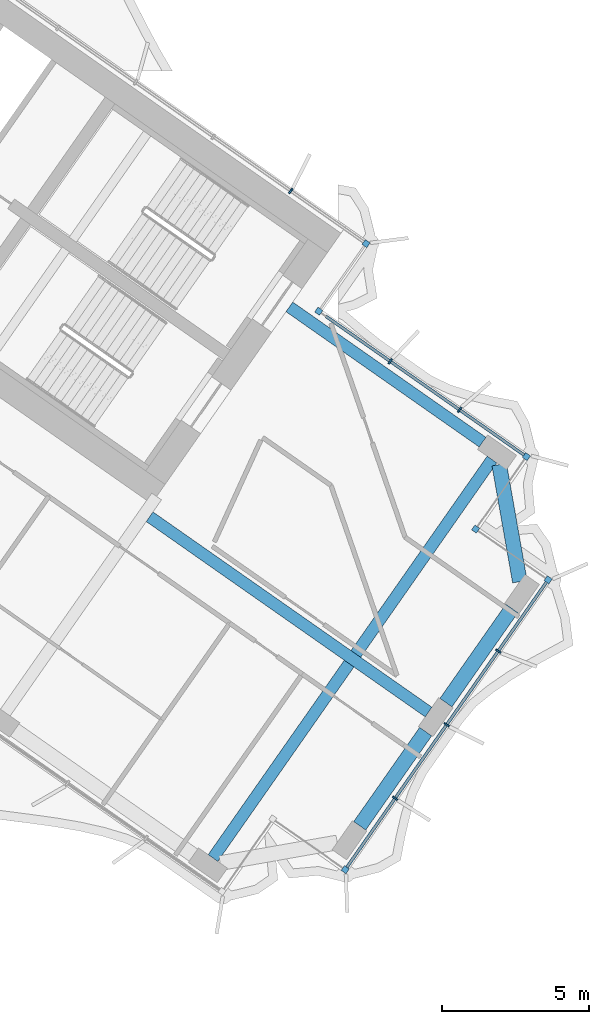
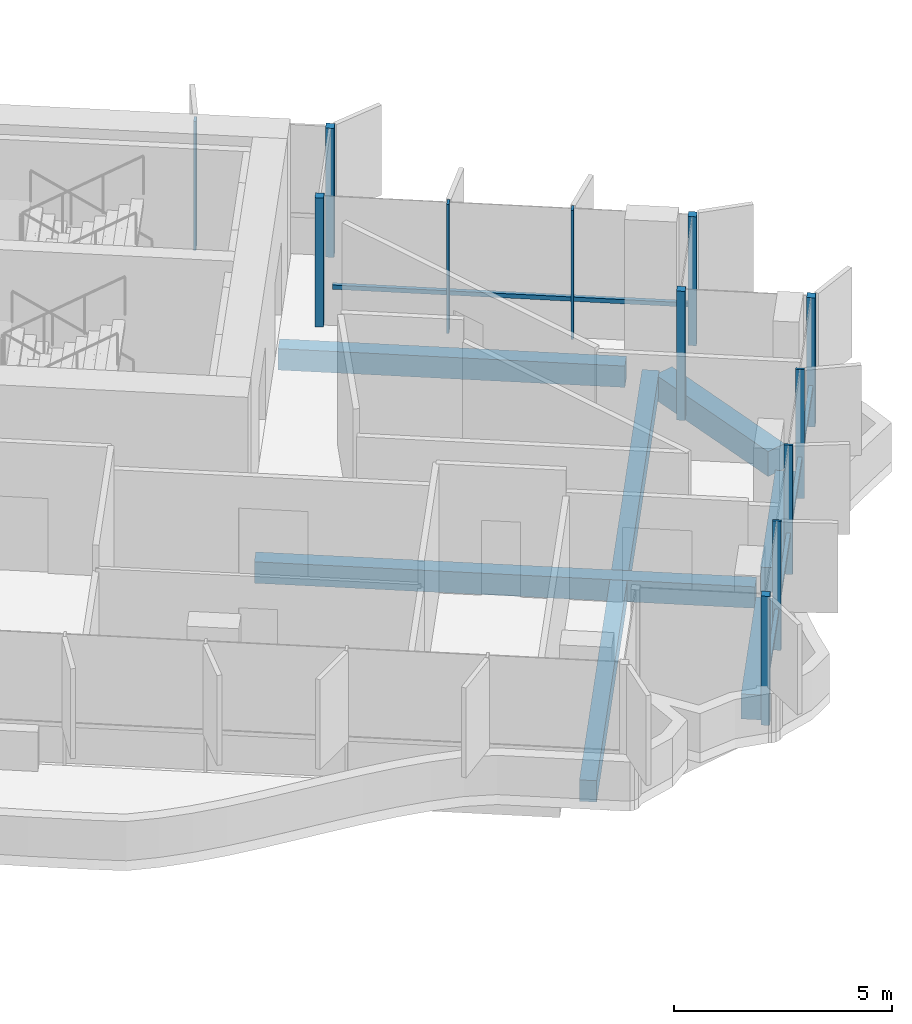
# One storey, part 11 of 23: 14 members, 6 beams, 2 elements without a shape of their own.
"""IFC4 building model written with IfcOpenShell, lengths in metres."""

from ifc_helpers import new_model, si_unit, direction, frame, origin, origin_2d, place, context, subcontext, project, spatial, rectangle, extrude, material, material_profile, profile_set, type_object, element, aggregate, save


model = new_model("IFC4")

# Units and contexts
model_context = context("Model", 3, precision=1e-05, world=origin(), true_north=direction((0.0, 1.0)))
body_context = subcontext(model_context, "Body", "Model", "MODEL_VIEW")
ifc_project = project(units=[si_unit("LENGTHUNIT", "METRE"), si_unit("AREAUNIT", "SQUARE_METRE"), si_unit("VOLUMEUNIT", "CUBIC_METRE"), si_unit("PLANEANGLEUNIT", "RADIAN"), si_unit("MASSUNIT", "GRAM", prefix="KILO")], contexts=[model_context])

# Site, building, storey
site_placement = place(None, origin())
site = spatial("IfcSite", under=ifc_project, at=site_placement, CompositionType="ELEMENT")
building_placement = place(site_placement, origin())
building = spatial("IfcBuilding", under=site, at=building_placement, Name="Tel Ilan Convention Tower", CompositionType="ELEMENT")
storey_placement = place(building_placement, frame((0.0, 0.0, 194.39990234375)))
storey = spatial("IfcBuildingStorey", under=building, at=storey_placement, Name="L45", CompositionType="ELEMENT", Elevation=194.39990234375)

# Beams
ifc_material_1 = material(Name="Concrete C40/50", Category="concrete")
ifc_material_profile_1 = material_profile(ifc_material_1, rectangle(XDim=0.39990234375, YDim=0.60009765625, at=origin_2d()), Name="RC 400x600")
ifc_profile_set_1 = profile_set([ifc_material_profile_1], Name="Concrete C40/50")
beam_type_1 = type_object("IfcBeamType", Name="Beam RC 400x600 Concrete C40/50", PredefinedType="BEAM", material=ifc_profile_set_1)
beam_1_placement = place(storey_placement, frame((32.771484375, -14.21826171875, -0.579833984375), z_axis=(-0.819151624752, 0.573577035512, 0.0), x_axis=(-0.573577035512, -0.819151624752, 0.0)))
element("IfcBeam", 1, at=beam_1_placement, inside=storey, type_object=beam_type_1, Name="L45 beam E-E-BC-core", PredefinedType="BEAM", context=body_context, shape_type="SweptSolid", body=[
    extrude(rectangle(XDim=0.39990234375, YDim=0.60009765625, at=origin_2d()), origin(), (0.0, 0.0, 1.0), 8.0),
])
beam_2_placement = place(storey_placement, frame((21.477783203125, -16.748046875, -0.579833984375), z_axis=(0.819160415691, -0.573564480564, 0.0), x_axis=(0.573564480564, 0.819160415691, 0.0)))
element("IfcBeam", 2, at=beam_2_placement, inside=storey, type_object=beam_type_1, Name="L45 beam E-core-end", PredefinedType="BEAM", context=body_context, shape_type="SweptSolid", body=[
    extrude(rectangle(XDim=0.39990234375, YDim=0.60009765625, at=origin_2d()), origin(), (0.0, 0.0, 1.0), 11.550048828125),
])
beam_3_placement = place(storey_placement, frame((23.626708984375, -28.32421875, -0.579833984375), z_axis=(0.573577531157, 0.819151277697, 0.0), x_axis=(-0.819151277697, 0.573577531157, 0.0)))
element("IfcBeam", 3, at=beam_3_placement, inside=storey, type_object=beam_type_1, Name="L45 beam E-E-FC-E-BC", PredefinedType="BEAM", context=body_context, shape_type="SweptSolid", body=[
    extrude(rectangle(XDim=0.39990234375, YDim=0.60009765625, at=origin_2d()), origin(), (0.0, 0.0, 1.0), 16.500244140625),
])
ifc_material_2 = material(Name="Concrete C40/50", Category="concrete")
ifc_material_profile_2 = material_profile(ifc_material_2, rectangle(XDim=0.5, YDim=0.699951171875, at=origin_2d()), Name="RC 500x700")
ifc_profile_set_2 = profile_set([ifc_material_profile_2], Name="Concrete C40/50")
beam_type_2 = type_object("IfcBeamType", Name="Beam RC 500x700 Concrete C40/50", PredefinedType="BEAM", material=ifc_profile_set_2)
for number, where, z_axis, x_axis, name in (
    (4, (28.603759765625, -27.231201171875, -0.6298828125), (0.573609383536, 0.819128973434, 0.0), (-0.819128973434, 0.573609383536, 0.0), "L45 beam E-E-E1-E-E2"),
    (5, (31.529052734375, -23.053466796875, -0.6298828125), (0.573609383536, 0.819128973434, 0.0), (-0.819128973434, 0.573609383536, 0.0), "L45 beam E-E-E2-E-E3"),
):
    element("IfcBeam", number, at=place(storey_placement, frame(where, z_axis=z_axis, x_axis=x_axis)), inside=storey, type_object=beam_type_2, Name=name, PredefinedType="BEAM", context=body_context, shape_type="SweptSolid", body=[
        extrude(rectangle(XDim=0.5, YDim=0.699951171875, at=origin_2d()), origin(), (0.0, 0.0, 1.0), 3.89990234375),
    ])
beam_4_placement = place(storey_placement, frame((34.036376953125, -18.949462890625, -0.6298828125), z_axis=(-0.173605641124, 0.984815252405, 0.0), x_axis=(-0.984815252405, -0.173605641124, 0.0)))
element("IfcBeam", 6, at=beam_4_placement, inside=storey, type_object=beam_type_2, Name="L45 beam E-E-E3-E-BC", PredefinedType="BEAM", context=body_context, shape_type="SweptSolid", body=[
    extrude(rectangle(XDim=0.5, YDim=0.699951171875, at=origin_2d()), origin(), (0.0, 0.0, 1.0), 4.030517578125),
])

# Curtain wall, members
ifc_material_3 = material(Name="Aluminium, bronze anodised", Category="aluminium")
curtain_wall_type_1 = type_object("IfcCurtainWallType", Name="CW2 STICK CURTAIN WALL, SPANDREL PANELS", PredefinedType="NOTDEFINED", material=ifc_material_3)
curtain_wall_1_placement = place(storey_placement, origin())
curtain_wall_1 = element("IfcCurtainWall", 7, at=curtain_wall_1_placement, inside=storey, type_object=curtain_wall_type_1, Name="Curtain wall CW2-35.01", PredefinedType="NOTDEFINED")
ifc_material_4 = material(Name="Aluminium, bronze anodised", Category="aluminium")
ifc_material_profile_3 = material_profile(ifc_material_4, rectangle(XDim=0.199951171875, YDim=0.199951171875, at=origin_2d()), Name="CW CORNER MULLION 200x200")
ifc_profile_set_3 = profile_set([ifc_material_profile_3], Name="Aluminium, bronze anodised")
member_type_1 = type_object("IfcMemberType", Name="CW CORNER MULLION 200x200", PredefinedType="MULLION", material=ifc_profile_set_3)
member_1_placement = place(storey_placement, frame((27.213623046875, -9.77734375, 0.0), z_axis=(0.0, 0.0, 1.0), x_axis=(-0.819152044289, 0.573576436351, 0.0)))
member_1 = element("IfcMember", 8, at=member_1_placement, type_object=member_type_1, Name="Corner mullion", PredefinedType="MULLION", context=body_context, shape_type="SweptSolid", body=[
    extrude(rectangle(XDim=0.199951171875, YDim=0.199951171875, at=origin_2d()), origin(), (0.0, 0.0, 1.0), 3.6201171875),
])
member_2_placement = place(storey_placement, frame((28.819580078125, -7.483642578125, 0.0), z_axis=(0.0, 0.0, 1.0), x_axis=(0.573576436351, 0.819152044289, 0.0)))
member_2 = element("IfcMember", 9, at=member_2_placement, type_object=member_type_1, Name="Corner mullion", PredefinedType="MULLION", context=body_context, shape_type="SweptSolid", body=[
    extrude(rectangle(XDim=0.199951171875, YDim=0.199951171875, at=origin_2d()), origin(), (0.0, 0.0, 1.0), 3.6201171875),
])

ifc_material_5 = material(Name="Aluminium, bronze anodised", Category="aluminium")
curtain_wall_type_2 = type_object("IfcCurtainWallType", Name="CW4 STICK CURTAIN WALL, OFFICE TINTED GLASS", PredefinedType="NOTDEFINED", material=ifc_material_5)
curtain_wall_2_placement = place(storey_placement, origin())
curtain_wall_2 = element("IfcCurtainWall", 10, at=curtain_wall_2_placement, inside=storey, type_object=curtain_wall_type_2, Name="Curtain wall CW4-35.02", PredefinedType="NOTDEFINED")
member_3_placement = place(storey_placement, frame((28.112060546875, -28.718017578125, 0.0), z_axis=(0.0, 0.0, 1.0), x_axis=(0.819152044289, -0.573576436351, 0.0)))
member_3 = element("IfcMember", 11, at=member_3_placement, type_object=member_type_1, Name="Corner mullion", PredefinedType="MULLION", context=body_context, shape_type="SweptSolid", body=[
    extrude(rectangle(XDim=0.199951171875, YDim=0.199951171875, at=origin_2d()), origin(), (0.0, 0.0, 1.0), 3.6201171875),
])
member_4_placement = place(storey_placement, frame((34.994873046875, -18.88818359375, 0.0), z_axis=(0.0, 0.0, 1.0), x_axis=(0.573576436351, 0.819152044289, 0.0)))
member_4 = element("IfcMember", 12, at=member_4_placement, type_object=member_type_1, Name="Corner mullion", PredefinedType="MULLION", context=body_context, shape_type="SweptSolid", body=[
    extrude(rectangle(XDim=0.199951171875, YDim=0.199951171875, at=origin_2d()), origin(), (0.0, 0.0, 1.0), 3.6201171875),
])
member_5_placement = place(storey_placement, frame((32.53759765625, -17.16748046875, 0.0), z_axis=(0.0, 0.0, 1.0), x_axis=(-0.819152044289, 0.573576436351, 0.0)))
member_5 = element("IfcMember", 13, at=member_5_placement, type_object=member_type_1, Name="Corner mullion", PredefinedType="MULLION", context=body_context, shape_type="SweptSolid", body=[
    extrude(rectangle(XDim=0.199951171875, YDim=0.199951171875, at=origin_2d()), origin(), (0.0, 0.0, 1.0), 3.6201171875),
])
member_6_placement = place(storey_placement, frame((34.25830078125, -14.7099609375, 0.0), z_axis=(0.0, 0.0, 1.0), x_axis=(0.573576436351, 0.819152044289, 0.0)))
member_6 = element("IfcMember", 14, at=member_6_placement, type_object=member_type_1, Name="Corner mullion", PredefinedType="MULLION", context=body_context, shape_type="SweptSolid", body=[
    extrude(rectangle(XDim=0.199951171875, YDim=0.199951171875, at=origin_2d()), origin(), (0.0, 0.0, 1.0), 3.6201171875),
])

# Member
ifc_material_6 = material(Name="Aluminium, bronze anodised", Category="aluminium")
ifc_material_profile_4 = material_profile(ifc_material_6, rectangle(XDim=0.06005859375, YDim=0.199951171875, at=origin_2d()), Name="CW MULLION 60x200")
ifc_profile_set_4 = profile_set([ifc_material_profile_4], Name="Aluminium, bronze anodised")
member_type_2 = type_object("IfcMemberType", Name="CW MULLION 60x200", PredefinedType="MULLION", material=ifc_profile_set_4)
member_7_placement = place(storey_placement, frame((26.268798828125, -5.697509765625, 0.0), z_axis=(0.0, 0.0, 1.0), x_axis=(-0.819152044289, 0.573576436351, 0.0)))
member_7 = element("IfcMember", 15, at=member_7_placement, type_object=member_type_2, Name="Mullion", PredefinedType="MULLION", context=body_context, shape_type="SweptSolid", body=[
    extrude(rectangle(XDim=0.06005859375, YDim=0.199951171875, at=origin_2d()), origin(), (0.0, 0.0, 1.0), 3.6201171875),
])

aggregate(curtain_wall_1, [member_1, member_2, member_7])

member_8_placement = place(storey_placement, frame((29.80419921875, -26.301513671875, 0.0), z_axis=(0.0, 0.0, 1.0), x_axis=(0.573576436351, 0.819152044289, 0.0)))
member_8 = element("IfcMember", 16, at=member_8_placement, type_object=member_type_2, Name="Mullion", PredefinedType="MULLION", context=body_context, shape_type="SweptSolid", body=[
    extrude(rectangle(XDim=0.06005859375, YDim=0.199951171875, at=origin_2d()), origin(), (0.0, 0.0, 1.0), 3.6201171875),
])

member_9_placement = place(storey_placement, frame((31.553466796875, -23.802978515625, 0.0), z_axis=(0.0, 0.0, 1.0), x_axis=(0.573576436351, 0.819152044289, 0.0)))
member_9 = element("IfcMember", 17, at=member_9_placement, type_object=member_type_2, Name="Mullion", PredefinedType="MULLION", context=body_context, shape_type="SweptSolid", body=[
    extrude(rectangle(XDim=0.06005859375, YDim=0.199951171875, at=origin_2d()), origin(), (0.0, 0.0, 1.0), 3.6201171875),
])

member_10_placement = place(storey_placement, frame((33.302978515625, -21.3046875, 0.0), z_axis=(0.0, 0.0, 1.0), x_axis=(0.573576436351, 0.819152044289, 0.0)))
member_10 = element("IfcMember", 18, at=member_10_placement, type_object=member_type_2, Name="Mullion", PredefinedType="MULLION", context=body_context, shape_type="SweptSolid", body=[
    extrude(rectangle(XDim=0.06005859375, YDim=0.199951171875, at=origin_2d()), origin(), (0.0, 0.0, 1.0), 3.6201171875),
])

member_11_placement = place(storey_placement, frame((31.991943359375, -13.123046875, 0.0), z_axis=(0.0, 0.0, 1.0), x_axis=(-0.819152044289, 0.573576436351, 0.0)))
member_11 = element("IfcMember", 19, at=member_11_placement, type_object=member_type_2, Name="Mullion", PredefinedType="MULLION", context=body_context, shape_type="SweptSolid", body=[
    extrude(rectangle(XDim=0.06005859375, YDim=0.199951171875, at=origin_2d()), origin(), (0.0, 0.0, 1.0), 3.6201171875),
])

member_12_placement = place(storey_placement, frame((29.6435546875, -11.478759765625, 0.0), z_axis=(0.0, 0.0, 1.0), x_axis=(-0.819152044289, 0.573576436351, 0.0)))
member_12 = element("IfcMember", 20, at=member_12_placement, type_object=member_type_2, Name="Mullion", PredefinedType="MULLION", context=body_context, shape_type="SweptSolid", body=[
    extrude(rectangle(XDim=0.06005859375, YDim=0.199951171875, at=origin_2d()), origin(), (0.0, 0.0, 1.0), 3.6201171875),
])

ifc_material_7 = material(Name="Aluminium, bronze anodised", Category="aluminium")
ifc_material_profile_5 = material_profile(ifc_material_7, rectangle(XDim=0.10009765625, YDim=0.1201171875, at=origin_2d()), Name="CW TRANSOM 100x120")
ifc_profile_set_5 = profile_set([ifc_material_profile_5], Name="Aluminium, bronze anodised")
member_type_3 = type_object("IfcMemberType", Name="CW TRANSOM 100x120", PredefinedType="USERDEFINED", material=ifc_profile_set_5)
member_13_placement = place(storey_placement, frame((28.16943359375, -28.635986328125, 1.10009765625), z_axis=(0.573567872435, 0.819158040741, 0.0), x_axis=(-0.819158040741, 0.573567872435, 0.0)))
member_13 = element("IfcMember", 21, at=member_13_placement, type_object=member_type_3, Name="Transom", ObjectType="TRANSOM", PredefinedType="USERDEFINED", context=body_context, shape_type="SweptSolid", body=[
    extrude(rectangle(XDim=0.10009765625, YDim=0.1201171875, at=origin_2d()), origin(), (0.0, 0.0, 1.0), 11.800048828125),
])

member_14_placement = place(storey_placement, frame((34.17626953125, -14.652587890625, 1.10009765625), z_axis=(-0.819149386388, 0.573580232209, 0.0), x_axis=(-0.573580232209, -0.819149386388, 0.0)))
member_14 = element("IfcMember", 22, at=member_14_placement, type_object=member_type_3, Name="Transom", ObjectType="TRANSOM", PredefinedType="USERDEFINED", context=body_context, shape_type="SweptSolid", body=[
    extrude(rectangle(XDim=0.10009765625, YDim=0.1201171875, at=origin_2d()), origin(), (0.0, 0.0, 1.0), 8.199951171875),
])

aggregate(curtain_wall_2, [member_3, member_8, member_9, member_10, member_4, member_13, member_5, member_6, member_11, member_12, member_14])

save(model, "model.ifc")
